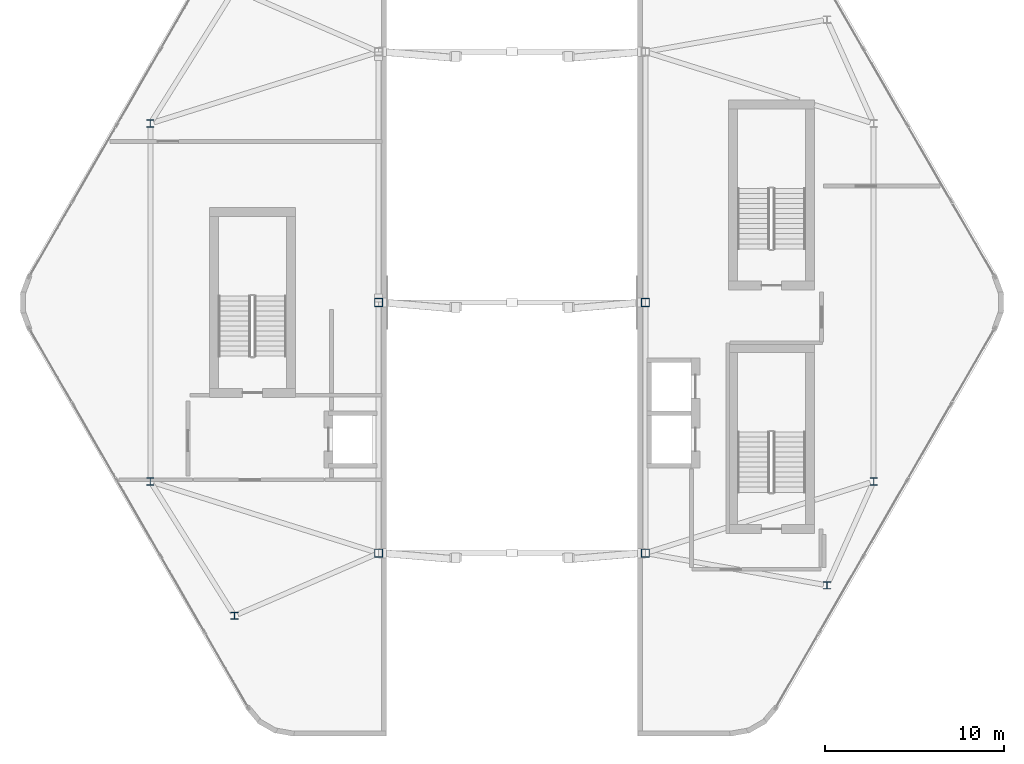
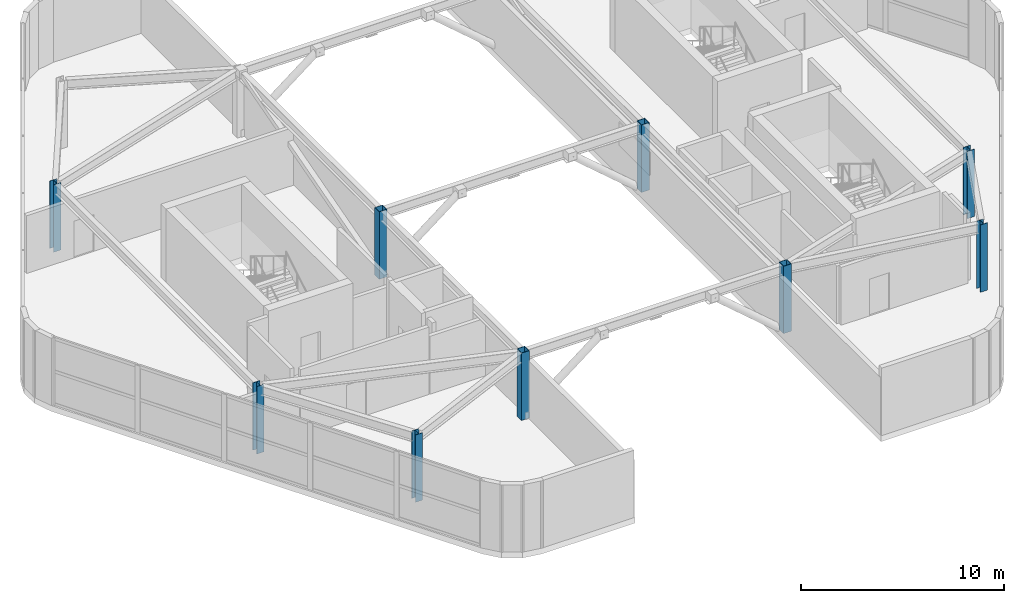
# One storey, part 1 of 16: 9 columns.
"""IFC4 building model written with IfcOpenShell, lengths in metres."""

from ifc_helpers import new_model, si_unit, direction, frame, origin, origin_2d, place, context, subcontext, project, spatial, hollow_rectangle, i_section, extrude, material, material_profile, profile_set, type_object, element, save


model = new_model("IFC4")

# Units and contexts
model_context = context("Model", 3, precision=1e-05, world=origin(), true_north=direction((0.0, 1.0)))
body_context = subcontext(model_context, "Body", "Model", "MODEL_VIEW")
ifc_project = project(units=[si_unit("LENGTHUNIT", "METRE"), si_unit("AREAUNIT", "SQUARE_METRE"), si_unit("VOLUMEUNIT", "CUBIC_METRE"), si_unit("PLANEANGLEUNIT", "RADIAN"), si_unit("MASSUNIT", "GRAM", prefix="KILO")], contexts=[model_context])

# Site, building, storey
site_placement = place(None, origin())
site = spatial("IfcSite", under=ifc_project, at=site_placement, CompositionType="ELEMENT")
building_placement = place(site_placement, origin())
building = spatial("IfcBuilding", under=site, at=building_placement, Name="Zuhravey Tower", CompositionType="ELEMENT")
storey_placement = place(building_placement, frame((0.0, 0.0, 370.199951171875)))
storey = spatial("IfcBuildingStorey", under=building, at=storey_placement, Name="L94", CompositionType="ELEMENT", Elevation=370.199951171875)

# Columns
ifc_material = material(Name="Steel SM355", Category="steel")
ifc_material_profile_1 = material_profile(ifc_material, i_section(OverallWidth=0.39990234375, OverallDepth=0.39990234375, WebThickness=0.012939453125, FlangeThickness=0.02099609375, at=origin_2d()), Name="H-400x400x13x21")
ifc_profile_set_1 = profile_set([ifc_material_profile_1], Name="Steel SM355")
column_type_1 = type_object("IfcColumnType", Name="Crown Crest Column H400x400", PredefinedType="COLUMN", material=ifc_profile_set_1)
for number, where, z_axis, x_axis, name in (
    (1, (15.800048828125, 22.0, 0.0), (0.0, 0.0, 1.0), (1.0, 0.0, 0.0), "L94 West Crest Column WC1"),
    (2, (15.800048828125, 42.0, 0.0), (0.0, 0.0, 1.0), (1.0, 0.0, 0.0), "L94 West Crest Column WC2"),
    (3, (20.5, 14.5, 0.0), (0.0, 0.0, 1.0), (1.0, 0.0, 0.0), "L94 West Crest Column WC3"),
    (4, (56.199951171875, 22.0, 0.0), (0.0, 0.0, 1.0), (1.0, 0.0, 0.0), "L94 East Crest Column EC1"),
    (5, (53.60009765625, 16.199951171875, 0.0), (0.0, 0.0, 1.0), (1.0, 0.0, 0.0), "L94 East Crest Column EC3"),
):
    element("IfcColumn", number, at=place(storey_placement, frame(where, z_axis=z_axis, x_axis=x_axis)), inside=storey, type_object=column_type_1, Name=name, PredefinedType="COLUMN", context=body_context, shape_type="SweptSolid", body=[
        extrude(i_section(OverallWidth=0.39990234375, OverallDepth=0.39990234375, WebThickness=0.012939453125, FlangeThickness=0.02099609375, at=origin_2d()), origin(), (0.0, 0.0, 1.0), 4.050048828125),
    ])
ifc_material_profile_2 = material_profile(ifc_material, hollow_rectangle(XDim=0.449951171875, YDim=0.449951171875, WallThickness=0.02197265625, at=origin_2d()), Name="RHS-450x450x22")
ifc_profile_set_2 = profile_set([ifc_material_profile_2], Name="Steel SM355")
column_type_2 = type_object("IfcColumnType", Name="Crown Portal Pilaster RHS450x450", PredefinedType="PILASTER", material=ifc_profile_set_2)
for number, where, z_axis, x_axis, name in (
    (6, (28.550048828125, 18.0, 0.0), (0.0, 0.0, 1.0), (1.0, 0.0, 0.0), "L94 West Crest Column WP1"),
    (7, (28.550048828125, 32.0, 0.0), (0.0, 0.0, 1.0), (1.0, 0.0, 0.0), "L94 West Crest Column WP2"),
    (8, (43.449951171875, 18.0, 0.0), (0.0, 0.0, 1.0), (1.0, 0.0, 0.0), "L94 East Crest Column EP1"),
    (9, (43.449951171875, 32.0, 0.0), (0.0, 0.0, 1.0), (1.0, 0.0, 0.0), "L94 East Crest Column EP2"),
):
    element("IfcColumn", number, at=place(storey_placement, frame(where, z_axis=z_axis, x_axis=x_axis)), inside=storey, type_object=column_type_2, Name=name, PredefinedType="PILASTER", context=body_context, shape_type="SweptSolid", body=[
        extrude(hollow_rectangle(XDim=0.449951171875, YDim=0.449951171875, WallThickness=0.02197265625, at=origin_2d()), origin(), (0.0, 0.0, 1.0), 4.050048828125),
    ])

save(model, "model.ifc")
